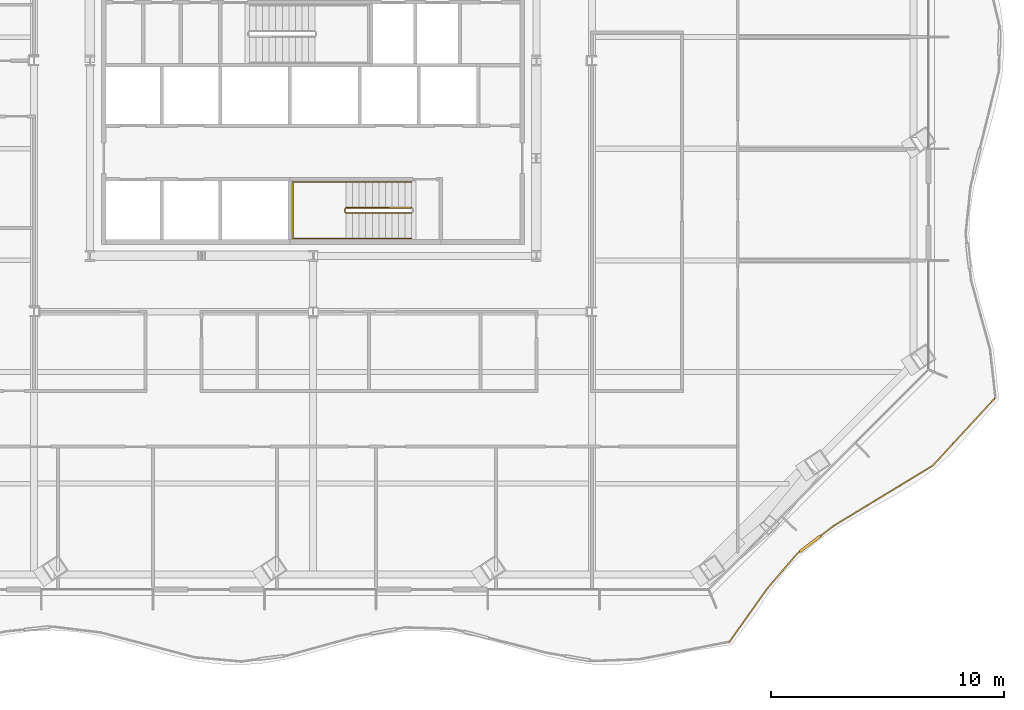
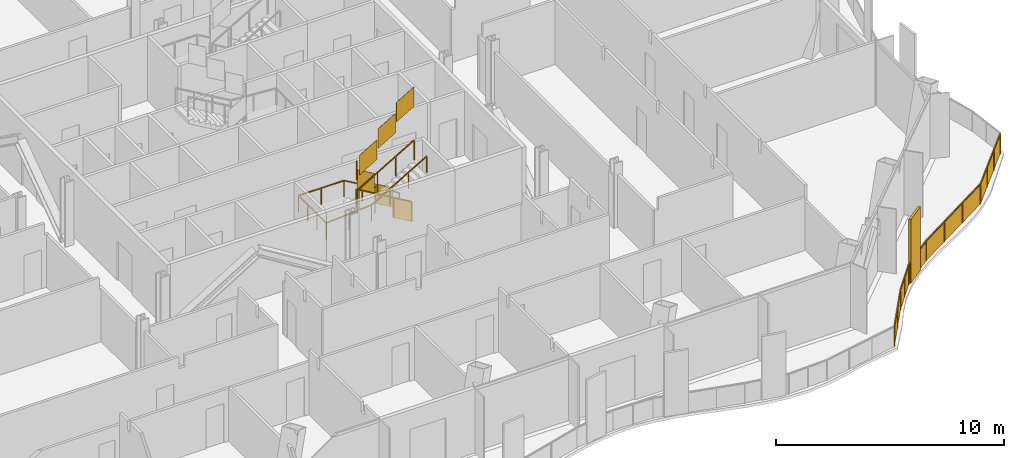
# One storey, part 18 of 22: 3 railings.
"""IFC4 building model written with IfcOpenShell, lengths in metres."""

from ifc_helpers import new_model, si_unit, direction, frame, origin, origin_2d, place, context, subcontext, project, spatial, polyline, rectangle, outline, extrude, material, type_object, element, save


model = new_model("IFC4")

# Units and contexts
model_context = context("Model", 3, precision=1e-05, world=origin(), true_north=direction((0.0, 1.0)))
body_context = subcontext(model_context, "Body", "Model", "MODEL_VIEW")
ifc_project = project(units=[si_unit("LENGTHUNIT", "METRE"), si_unit("AREAUNIT", "SQUARE_METRE"), si_unit("VOLUMEUNIT", "CUBIC_METRE"), si_unit("PLANEANGLEUNIT", "RADIAN"), si_unit("MASSUNIT", "GRAM", prefix="KILO")], contexts=[model_context])

# Site, building, storey
site_placement = place(None, origin())
site = spatial("IfcSite", under=ifc_project, at=site_placement, CompositionType="ELEMENT")
building_placement = place(site_placement, origin())
building = spatial("IfcBuilding", under=site, at=building_placement, Name="Cairn Pilgrim Tower", CompositionType="ELEMENT")
storey_placement = place(building_placement, frame((0.0, 0.0, 105.0)))
storey = spatial("IfcBuildingStorey", under=building, at=storey_placement, Name="L25", CompositionType="ELEMENT", Elevation=105.0)

# Railings
ifc_material_1 = material(Name="Bronze anodised aluminium rail, posts and fin screens with laminated glass infill", Category="aluminium")
railing_type_1 = type_object("IfcRailingType", Name="BALCONY GUARD WITH FIN SCREENS", PredefinedType="GUARDRAIL", material=ifc_material_1)
railing_1_placement = place(storey_placement, frame((25.108642578125, -22.58837890625, 0.0)))
element("IfcRailing", 1, at=railing_1_placement, inside=storey, type_object=railing_type_1, Name="Balcony guard BGF-2 with fin screens", PredefinedType="GUARDRAIL", context=body_context, shape_type="SweptSolid", body=[
    extrude(rectangle(XDim=0.050048828125, YDim=0.050048828125, at=origin_2d()), frame((0.0, 0.0, 1.0751953125), z_axis=(0.578959463268, 0.815356326947, 0.0), x_axis=(-0.815356326947, 0.578959463268, 0.0)), (0.0, 0.0, 1.0), 2.81005859375),
    extrude(rectangle(XDim=0.050048828125, YDim=0.050048828125, at=origin_2d()), frame((1.626953125, 2.291259765625, 1.0751953125), z_axis=(0.650678985277, 0.759352920663, 0.0), x_axis=(-0.759352920663, 0.650678985277, 0.0)), (0.0, 0.0, 1.0), 1.968017578125),
    extrude(rectangle(XDim=1.10009765625, YDim=0.110107421875, at=origin_2d()), frame((3.46435546875, 4.209716796875, 0.0), z_axis=(0.0, 0.0, 1.0), x_axis=(0.795556187527, 0.605879816868, 0.0)), (0.0, 0.0, 1.0), 3.39990234375),
    extrude(rectangle(XDim=0.050048828125, YDim=0.050048828125, at=origin_2d()), frame((2.907470703125, 3.78564453125, 1.0751953125), z_axis=(0.795556187527, 0.605879816868, 0.0), x_axis=(-0.605879816868, 0.795556187527, 0.0)), (0.0, 0.0, 1.0), 0.14990234375),
    extrude(rectangle(XDim=0.050048828125, YDim=0.050048828125, at=origin_2d()), frame((3.90185546875, 4.54296875, 1.0751953125), z_axis=(0.795556187527, 0.605879816868, 0.0), x_axis=(-0.605879816868, 0.795556187527, 0.0)), (0.0, 0.0, 1.0), 0.73095703125),
    extrude(rectangle(XDim=0.050048828125, YDim=0.050048828125, at=origin_2d()), frame((4.4833984375, 4.98583984375, 1.0751953125), z_axis=(0.854566756573, 0.51934156252, 0.0), x_axis=(-0.51934156252, 0.854566756573, 0.0)), (0.0, 0.0, 1.0), 4.977783203125),
    extrude(rectangle(XDim=0.050048828125, YDim=0.050048828125, at=origin_2d()), frame((8.7373046875, 7.571044921875, 1.0751953125), z_axis=(0.677819136403, 0.735228684373, 0.0), x_axis=(-0.735228684373, 0.677819136403, 0.0)), (0.0, 0.0, 1.0), 3.916748046875),
    extrude(rectangle(XDim=0.050048828125, YDim=0.050048828125, at=origin_2d()), origin(), (0.0, 0.0, 1.0), 1.050048828125),
    extrude(rectangle(XDim=0.050048828125, YDim=0.050048828125, at=origin_2d()), frame((0.8134765625, 1.1455078125, 0.0)), (0.0, 0.0, 1.0), 1.050048828125),
    extrude(rectangle(XDim=0.050048828125, YDim=0.050048828125, at=origin_2d()), frame((1.626953125, 2.291259765625, 0.0)), (0.0, 0.0, 1.0), 1.050048828125),
    extrude(rectangle(XDim=0.050048828125, YDim=0.050048828125, at=origin_2d()), frame((2.26708984375, 3.03857421875, 0.0)), (0.0, 0.0, 1.0), 1.050048828125),
    extrude(rectangle(XDim=0.050048828125, YDim=0.050048828125, at=origin_2d()), frame((2.907470703125, 3.78564453125, 0.0)), (0.0, 0.0, 1.0), 1.050048828125),
    extrude(rectangle(XDim=0.050048828125, YDim=0.050048828125, at=origin_2d()), frame((3.0068359375, 3.861328125, 0.0)), (0.0, 0.0, 1.0), 1.050048828125),
    extrude(rectangle(XDim=0.050048828125, YDim=0.050048828125, at=origin_2d()), frame((3.921630859375, 4.55810546875, 0.0)), (0.0, 0.0, 1.0), 1.050048828125),
    extrude(rectangle(XDim=0.050048828125, YDim=0.050048828125, at=origin_2d()), frame((4.4833984375, 4.98583984375, 0.0)), (0.0, 0.0, 1.0), 1.050048828125),
    extrude(rectangle(XDim=0.050048828125, YDim=0.050048828125, at=origin_2d()), frame((5.9013671875, 5.84765625, 0.0)), (0.0, 0.0, 1.0), 1.050048828125),
    extrude(rectangle(XDim=0.050048828125, YDim=0.050048828125, at=origin_2d()), frame((7.3193359375, 6.709228515625, 0.0)), (0.0, 0.0, 1.0), 1.050048828125),
    extrude(rectangle(XDim=0.050048828125, YDim=0.050048828125, at=origin_2d()), frame((8.7373046875, 7.571044921875, 0.0)), (0.0, 0.0, 1.0), 1.050048828125),
    extrude(rectangle(XDim=0.050048828125, YDim=0.050048828125, at=origin_2d()), frame((9.622314453125, 8.531005859375, 0.0)), (0.0, 0.0, 1.0), 1.050048828125),
    extrude(rectangle(XDim=0.050048828125, YDim=0.050048828125, at=origin_2d()), frame((10.507080078125, 9.49072265625, 0.0)), (0.0, 0.0, 1.0), 1.050048828125),
    extrude(rectangle(XDim=0.050048828125, YDim=0.050048828125, at=origin_2d()), frame((11.39208984375, 10.45068359375, 0.0)), (0.0, 0.0, 1.0), 1.050048828125),
    extrude(outline(polyline([(0.02490234375, 0.0), (1.380126953125, 0.0), (1.380126953125, 1.050048828125), (0.02490234375, 1.050048828125), (0.02490234375, 0.0)])), frame((-0.0048828125, 0.00341796875, 0.0), z_axis=(0.815356326947, -0.578959463268, 0.0), x_axis=(0.578959463268, 0.815356326947, 0.0)), (0.0, 0.0, 1.0), 0.011962890625),
    extrude(outline(polyline([(0.02490234375, 0.0), (1.380126953125, 0.0), (1.380126953125, 1.050048828125), (0.02490234375, 1.050048828125), (0.02490234375, 0.0)])), frame((0.80859375, 1.149169921875, 0.0), z_axis=(0.815356326947, -0.578959463268, 0.0), x_axis=(0.578959463268, 0.815356326947, 0.0)), (0.0, 0.0, 1.0), 0.011962890625),
    extrude(outline(polyline([(0.02490234375, 0.0), (0.958984375, 0.0), (0.958984375, 1.050048828125), (0.02490234375, 1.050048828125), (0.02490234375, 0.0)])), frame((1.622314453125, 2.295166015625, 0.0), z_axis=(0.759352920663, -0.650678985277, 0.0), x_axis=(0.650678985277, 0.759352920663, 0.0)), (0.0, 0.0, 1.0), 0.011962890625),
    extrude(outline(polyline([(0.02490234375, 0.0), (0.958984375, 0.0), (0.958984375, 1.050048828125), (0.02490234375, 1.050048828125), (0.02490234375, 0.0)])), frame((2.2626953125, 3.042236328125, 0.0), z_axis=(0.759352920663, -0.650678985277, 0.0), x_axis=(0.650678985277, 0.759352920663, 0.0)), (0.0, 0.0, 1.0), 0.011962890625),
    extrude(outline(polyline([(0.02490234375, 0.0), (0.099853515625, 0.0), (0.099853515625, 1.050048828125), (0.02490234375, 1.050048828125), (0.02490234375, 0.0)])), frame((2.90380859375, 3.790283203125, 0.0), z_axis=(0.605879816868, -0.795556187527, 0.0), x_axis=(0.795556187527, 0.605879816868, 0.0)), (0.0, 0.0, 1.0), 0.011962890625),
    extrude(outline(polyline([(0.02490234375, 0.0), (0.680908203125, 0.0), (0.680908203125, 1.050048828125), (0.02490234375, 1.050048828125), (0.02490234375, 0.0)])), frame((3.918212890625, 4.562744140625, 0.0), z_axis=(0.605879816868, -0.795556187527, 0.0), x_axis=(0.795556187527, 0.605879816868, 0.0)), (0.0, 0.0, 1.0), 0.011962890625),
    extrude(outline(polyline([(0.02490234375, 0.0), (1.63427734375, 0.0), (1.63427734375, 1.050048828125), (0.02490234375, 1.050048828125), (0.02490234375, 0.0)])), frame((4.480224609375, 4.990966796875, 0.0), z_axis=(0.51934156252, -0.854566756573, 0.0), x_axis=(0.854566756573, 0.51934156252, 0.0)), (0.0, 0.0, 1.0), 0.011962890625),
    extrude(outline(polyline([(0.02490234375, 0.0), (1.63427734375, 0.0), (1.63427734375, 1.050048828125), (0.02490234375, 1.050048828125), (0.02490234375, 0.0)])), frame((5.898193359375, 5.852783203125, 0.0), z_axis=(0.51934156252, -0.854566756573, 0.0), x_axis=(0.854566756573, 0.51934156252, 0.0)), (0.0, 0.0, 1.0), 0.011962890625),
    extrude(outline(polyline([(0.02490234375, 0.0), (1.63427734375, 0.0), (1.63427734375, 1.050048828125), (0.02490234375, 1.050048828125), (0.02490234375, 0.0)])), frame((7.316162109375, 6.71435546875, 0.0), z_axis=(0.51934156252, -0.854566756573, 0.0), x_axis=(0.854566756573, 0.51934156252, 0.0)), (0.0, 0.0, 1.0), 0.011962890625),
    extrude(outline(polyline([(0.02490234375, 0.0), (1.280517578125, 0.0), (1.280517578125, 1.050048828125), (0.02490234375, 1.050048828125), (0.02490234375, 0.0)])), frame((8.73291015625, 7.5751953125, 0.0), z_axis=(0.735228684373, -0.677819136403, 0.0), x_axis=(0.677819136403, 0.735228684373, 0.0)), (0.0, 0.0, 1.0), 0.011962890625),
    extrude(outline(polyline([(0.02490234375, 0.0), (1.280517578125, 0.0), (1.280517578125, 1.050048828125), (0.02490234375, 1.050048828125), (0.02490234375, 0.0)])), frame((9.617919921875, 8.534912109375, 0.0), z_axis=(0.735228684373, -0.677819136403, 0.0), x_axis=(0.677819136403, 0.735228684373, 0.0)), (0.0, 0.0, 1.0), 0.011962890625),
    extrude(outline(polyline([(0.02490234375, 0.0), (1.280517578125, 0.0), (1.280517578125, 1.050048828125), (0.02490234375, 1.050048828125), (0.02490234375, 0.0)])), frame((10.502685546875, 9.494873046875, 0.0), z_axis=(0.735228684373, -0.677819136403, 0.0), x_axis=(0.677819136403, 0.735228684373, 0.0)), (0.0, 0.0, 1.0), 0.011962890625),
])
ifc_material_2 = material(Name="Painted steel", Category="steel")
railing_type_2 = type_object("IfcRailingType", Name="STAIR GUARD 1100", PredefinedType="GUARDRAIL", material=ifc_material_2)
railing_2_placement = place(storey_placement, frame((11.425048828125, -3.925048828125, 0.16357421875)))
element("IfcRailing", 2, at=railing_2_placement, inside=storey, type_object=railing_type_2, Name="L25 ST-A stair guard 1", PredefinedType="GUARDRAIL", context=body_context, shape_type="SweptSolid", body=[
    extrude(rectangle(XDim=0.048095703125, YDim=0.048095703125, at=origin_2d()), frame((0.0, 0.0, 1.076171875), z_axis=(-0.863360870873, 0.0, 0.504586966384), x_axis=(0.0, -1.0, 0.0)), (0.0, 0.0, 1.0), 3.2431640625),
    extrude(rectangle(XDim=0.048095703125, YDim=0.048095703125, at=origin_2d()), frame((-2.800048828125, 0.0, 2.71240234375), z_axis=(-0.707106781187, -0.707106781187, 0.0), x_axis=(0.707106781187, -0.707106781187, 0.0)), (0.0, 0.0, 1.0), 0.07080078125),
    extrude(rectangle(XDim=0.048095703125, YDim=0.048095703125, at=origin_2d()), frame((-2.85009765625, -0.050048828125, 2.71240234375), z_axis=(0.0, -1.0, 0.0), x_axis=(1.0, 0.0, 0.0)), (0.0, 0.0, 1.0), 0.125),
    extrude(rectangle(XDim=0.048095703125, YDim=0.048095703125, at=origin_2d()), frame((-2.85009765625, -0.175048828125, 2.71240234375), z_axis=(0.280916556609, -0.279546231943, 0.91811752648), x_axis=(0.705375805398, 0.708833529934, 0.0)), (0.0, 0.0, 1.0), 0.17822265625),
    extrude(rectangle(XDim=0.048095703125, YDim=0.048095703125, at=origin_2d()), frame((-2.800048828125, -0.224853515625, 2.8759765625), z_axis=(0.863360870873, 0.0, 0.504586966384), x_axis=(0.0, 1.0, 0.0)), (0.0, 0.0, 1.0), 3.2431640625),
    extrude(rectangle(XDim=0.0419921875, YDim=0.0419921875, at=origin_2d()), origin(), (0.0, 0.0, 1.0), 1.052001953125),
    extrude(rectangle(XDim=0.0419921875, YDim=0.0419921875, at=origin_2d()), frame((-0.933349609375, 0.0, 0.54541015625)), (0.0, 0.0, 1.0), 1.052001953125),
    extrude(rectangle(XDim=0.0419921875, YDim=0.0419921875, at=origin_2d()), frame((-1.86669921875, 0.0, 1.091064453125)), (0.0, 0.0, 1.0), 1.052001953125),
    extrude(rectangle(XDim=0.0419921875, YDim=0.0419921875, at=origin_2d()), frame((-2.800048828125, 0.0, 1.636474609375)), (0.0, 0.0, 1.0), 1.052001953125),
    extrude(rectangle(XDim=0.0419921875, YDim=0.0419921875, at=origin_2d()), frame((-2.85009765625, -0.050048828125, 1.636474609375)), (0.0, 0.0, 1.0), 1.052001953125),
    extrude(rectangle(XDim=0.0419921875, YDim=0.0419921875, at=origin_2d()), frame((-2.85009765625, -0.175048828125, 1.636474609375)), (0.0, 0.0, 1.0), 1.052001953125),
    extrude(rectangle(XDim=0.0419921875, YDim=0.0419921875, at=origin_2d()), frame((-2.800048828125, -0.224853515625, 1.800048828125)), (0.0, 0.0, 1.0), 1.052001953125),
    extrude(rectangle(XDim=0.0419921875, YDim=0.0419921875, at=origin_2d()), frame((-1.86669921875, -0.224853515625, 2.345458984375)), (0.0, 0.0, 1.0), 1.052001953125),
    extrude(rectangle(XDim=0.0419921875, YDim=0.0419921875, at=origin_2d()), frame((-0.933349609375, -0.224853515625, 2.89111328125)), (0.0, 0.0, 1.0), 1.052001953125),
    extrude(rectangle(XDim=0.0419921875, YDim=0.0419921875, at=origin_2d()), frame((0.0, -0.224853515625, 3.4365234375)), (0.0, 0.0, 1.0), 1.052001953125),
    extrude(outline(polyline([(0.02099609375, 0.01220703125), (0.912353515625, 0.533203125), (0.912353515625, 1.585205078125), (0.02099609375, 1.064208984375), (0.02099609375, 0.01220703125)])), frame((0.0, -0.005859375, 0.0), z_axis=(0.0, 1.0, 0.0), x_axis=(-1.0, 0.0, 0.0)), (0.0, 0.0, 1.0), 0.011962890625),
    extrude(outline(polyline([(0.02099609375, 0.557861328125), (0.912353515625, 1.07861328125), (0.912353515625, 2.130615234375), (0.02099609375, 1.60986328125), (0.02099609375, 0.557861328125)])), frame((-0.933349609375, -0.005859375, 0.54541015625), z_axis=(0.0, 1.0, 0.0), x_axis=(-1.0, 0.0, 0.0)), (0.0, 0.0, 1.0), 0.011962890625),
    extrude(outline(polyline([(0.02099609375, 1.103271484375), (0.912353515625, 1.624267578125), (0.912353515625, 2.67626953125), (0.02099609375, 2.1552734375), (0.02099609375, 1.103271484375)])), frame((-1.86669921875, -0.005859375, 1.091064453125), z_axis=(0.0, 1.0, 0.0), x_axis=(-1.0, 0.0, 0.0)), (0.0, 0.0, 1.0), 0.011962890625),
    extrude(outline(polyline([(0.02099609375, 1.636474609375), (0.10400390625, 1.636474609375), (0.10400390625, 2.6884765625), (0.02099609375, 2.6884765625), (0.02099609375, 1.636474609375)])), frame((-2.84423828125, -0.050048828125, 1.636474609375), z_axis=(-1.0, 0.0, 0.0), x_axis=(0.0, -1.0, 0.0)), (0.0, 0.0, 1.0), 0.011962890625),
    extrude(outline(polyline([(0.02099609375, 1.812255859375), (0.912353515625, 2.333251953125), (0.912353515625, 3.38525390625), (0.02099609375, 2.8642578125), (0.02099609375, 1.812255859375)])), frame((-2.800048828125, -0.21875, 1.800048828125), z_axis=(0.0, -1.0, 0.0), x_axis=(1.0, 0.0, 0.0)), (0.0, 0.0, 1.0), 0.011962890625),
    extrude(outline(polyline([(0.02099609375, 2.35791015625), (0.912353515625, 2.878662109375), (0.912353515625, 3.9306640625), (0.02099609375, 3.409912109375), (0.02099609375, 2.35791015625)])), frame((-1.86669921875, -0.21875, 2.345458984375), z_axis=(0.0, -1.0, 0.0), x_axis=(1.0, 0.0, 0.0)), (0.0, 0.0, 1.0), 0.011962890625),
    extrude(outline(polyline([(0.02099609375, 2.9033203125), (0.912353515625, 3.42431640625), (0.912353515625, 4.476318359375), (0.02099609375, 3.955322265625), (0.02099609375, 2.9033203125)])), frame((-0.933349609375, -0.21875, 2.89111328125), z_axis=(0.0, -1.0, 0.0), x_axis=(1.0, 0.0, 0.0)), (0.0, 0.0, 1.0), 0.011962890625),
])
railing_type_3 = type_object("IfcRailingType", Name="STAIR HANDRAIL 900", PredefinedType="HANDRAIL", material=ifc_material_2)
railing_3_placement = place(storey_placement, frame((11.425048828125, -2.824951171875, 0.16357421875)))
element("IfcRailing", 3, at=railing_3_placement, inside=storey, type_object=railing_type_3, Name="L25 ST-A stair handrail 1", PredefinedType="HANDRAIL", context=body_context, shape_type="SweptSolid", body=[
    extrude(rectangle(XDim=0.048095703125, YDim=0.048095703125, at=origin_2d()), frame((0.0, 0.0, 0.8759765625), z_axis=(-0.863360870873, 0.0, 0.504586966384), x_axis=(0.0, -1.0, 0.0)), (0.0, 0.0, 1.0), 3.2431640625),
    extrude(rectangle(XDim=0.048095703125, YDim=0.048095703125, at=origin_2d()), frame((-2.800048828125, 0.0, 2.51220703125), z_axis=(-1.0, 0.0, 0.0), x_axis=(0.0, -1.0, 0.0)), (0.0, 0.0, 1.0), 2.300048828125),
    extrude(rectangle(XDim=0.048095703125, YDim=0.048095703125, at=origin_2d()), frame((-5.10009765625, 0.0, 2.51220703125), z_axis=(0.0, -1.0, 0.0), x_axis=(1.0, 0.0, 0.0)), (0.0, 0.0, 1.0), 2.425048828125),
    extrude(rectangle(XDim=0.048095703125, YDim=0.048095703125, at=origin_2d()), frame((-5.10009765625, -2.425048828125, 2.51220703125), z_axis=(0.997480687736, 0.0, 0.070938548008), x_axis=(0.0, 1.0, 0.0)), (0.0, 0.0, 1.0), 2.305908203125),
    extrude(rectangle(XDim=0.048095703125, YDim=0.048095703125, at=origin_2d()), frame((-2.800048828125, -2.425048828125, 2.67578125), z_axis=(0.863360870873, 0.0, 0.504586966384), x_axis=(0.0, 1.0, 0.0)), (0.0, 0.0, 1.0), 3.2431640625),
    extrude(rectangle(XDim=0.0419921875, YDim=0.0419921875, at=origin_2d()), origin(), (0.0, 0.0, 1.0), 0.851806640625),
    extrude(rectangle(XDim=0.0419921875, YDim=0.0419921875, at=origin_2d()), frame((-0.933349609375, 0.0, 0.54541015625)), (0.0, 0.0, 1.0), 0.851806640625),
    extrude(rectangle(XDim=0.0419921875, YDim=0.0419921875, at=origin_2d()), frame((-1.86669921875, 0.0, 1.091064453125)), (0.0, 0.0, 1.0), 0.851806640625),
    extrude(rectangle(XDim=0.0419921875, YDim=0.0419921875, at=origin_2d()), frame((-2.800048828125, 0.0, 1.636474609375)), (0.0, 0.0, 1.0), 0.851806640625),
    extrude(rectangle(XDim=0.0419921875, YDim=0.0419921875, at=origin_2d()), frame((-3.9501953125, 0.0, 1.636474609375)), (0.0, 0.0, 1.0), 0.851806640625),
    extrude(rectangle(XDim=0.0419921875, YDim=0.0419921875, at=origin_2d()), frame((-5.10009765625, 0.0, 1.636474609375)), (0.0, 0.0, 1.0), 0.851806640625),
    extrude(rectangle(XDim=0.0419921875, YDim=0.0419921875, at=origin_2d()), frame((-5.10009765625, -0.808349609375, 1.636474609375)), (0.0, 0.0, 1.0), 0.851806640625),
    extrude(rectangle(XDim=0.0419921875, YDim=0.0419921875, at=origin_2d()), frame((-5.10009765625, -1.61669921875, 1.636474609375)), (0.0, 0.0, 1.0), 0.851806640625),
    extrude(rectangle(XDim=0.0419921875, YDim=0.0419921875, at=origin_2d()), frame((-5.10009765625, -2.425048828125, 1.636474609375)), (0.0, 0.0, 1.0), 0.851806640625),
    extrude(rectangle(XDim=0.0419921875, YDim=0.0419921875, at=origin_2d()), frame((-3.9501953125, -2.425048828125, 1.71826171875)), (0.0, 0.0, 1.0), 0.851806640625),
    extrude(rectangle(XDim=0.0419921875, YDim=0.0419921875, at=origin_2d()), frame((-2.800048828125, -2.425048828125, 1.800048828125)), (0.0, 0.0, 1.0), 0.851806640625),
    extrude(rectangle(XDim=0.0419921875, YDim=0.0419921875, at=origin_2d()), frame((-1.86669921875, -2.425048828125, 2.345458984375)), (0.0, 0.0, 1.0), 0.851806640625),
    extrude(rectangle(XDim=0.0419921875, YDim=0.0419921875, at=origin_2d()), frame((-0.933349609375, -2.425048828125, 2.89111328125)), (0.0, 0.0, 1.0), 0.851806640625),
    extrude(rectangle(XDim=0.0419921875, YDim=0.0419921875, at=origin_2d()), frame((0.0, -2.425048828125, 3.4365234375)), (0.0, 0.0, 1.0), 0.851806640625),
])

save(model, "model.ifc")
